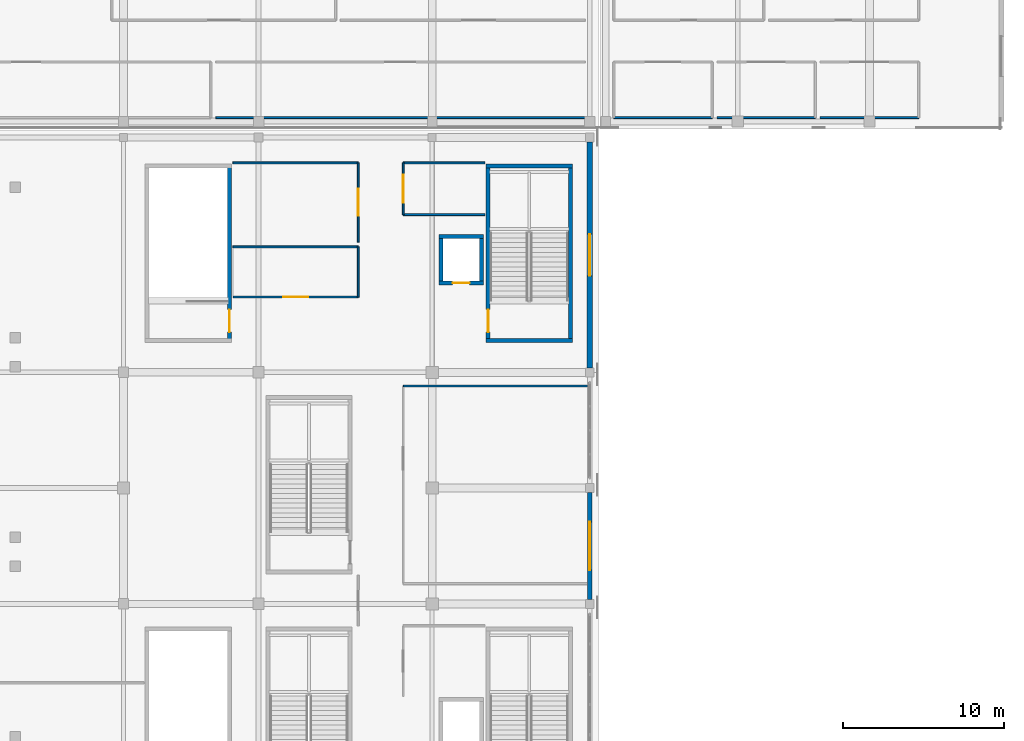
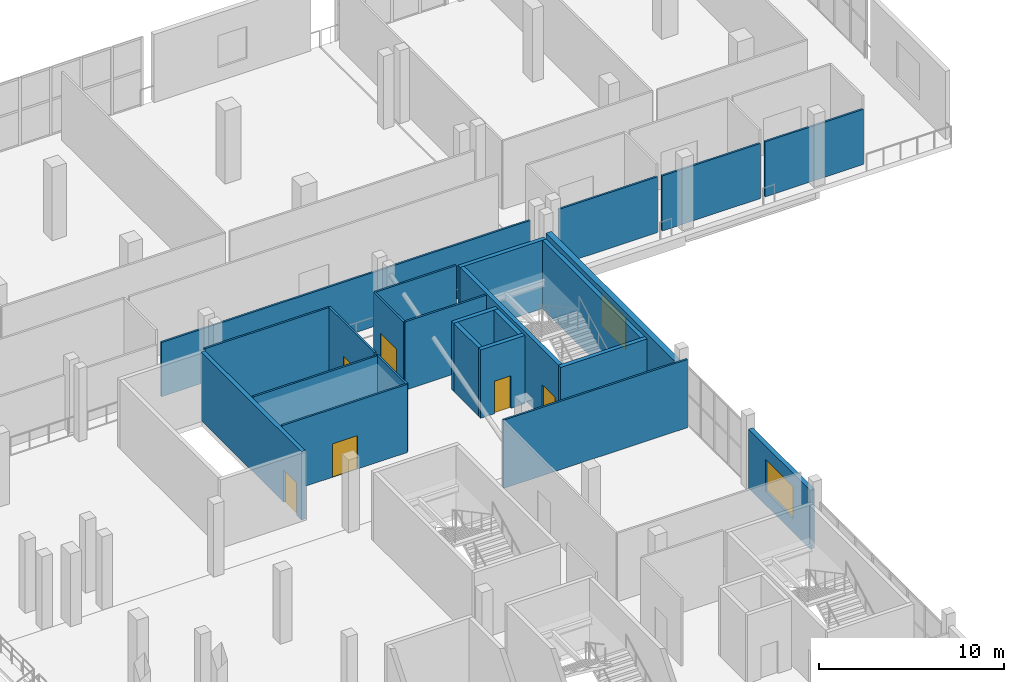
# One storey, part 84 of 129: 24 walls, 6 doors, 2 windows, 8 openings.
"""IFC4 building model written with IfcOpenShell, lengths in metres."""

from ifc_helpers import new_model, si_unit, direction, frame, frame_2d, origin, place, context, subcontext, project, spatial, rectangle, extrude, material, layer, layer_set, type_object, element, fill, save


model = new_model("IFC4")

# Units and contexts
model_context = context("Model", 3, precision=1e-05, world=origin(), true_north=direction((0.0, 1.0)))
body_context = subcontext(model_context, "Body", "Model", "MODEL_VIEW")
ifc_project = project(units=[si_unit("LENGTHUNIT", "METRE"), si_unit("AREAUNIT", "SQUARE_METRE"), si_unit("VOLUMEUNIT", "CUBIC_METRE"), si_unit("PLANEANGLEUNIT", "RADIAN"), si_unit("MASSUNIT", "GRAM", prefix="KILO")], contexts=[model_context])

# Site, building, storey
site_placement = place(None, origin())
site = spatial("IfcSite", under=ifc_project, at=site_placement, CompositionType="ELEMENT")
building_placement = place(site_placement, origin())
building = spatial("IfcBuilding", under=site, at=building_placement, Name="Koshinbarg Plaza Stadium", CompositionType="ELEMENT")
storey_placement = place(building_placement, frame((0.0, 0.0, 5.39990234375)))
storey = spatial("IfcBuildingStorey", under=building, at=storey_placement, Name="L01", CompositionType="ELEMENT", Elevation=5.39990234375)

# Walls
ifc_material_1 = material(Name="Concrete C40/50", Category="concrete")
ifc_layer_1 = layer(ifc_material_1, 0.25)
ifc_layer_set_1 = layer_set([ifc_layer_1], Name="Concrete C40/50")
wall_type_1 = type_object("IfcWallType", Name="WL-CORE-250", PredefinedType="SHEAR", material=ifc_layer_set_1)
for number, where, z_axis, x_axis, name in (
    (1, (211.949951171875, 113.875, 0.0), (0.0, 0.0, 1.0), (1.0, 0.0, 0.0), "L01 core stair shear wall C10-near IWL-L01-0238"),
    (2, (217.320068359375, 124.72509765625, 0.0), (0.0, 0.0, 1.0), (-1.0, 0.0, 0.0), "L01 core stair shear wall C10-far IWL-L01-0239"),
):
    element("IfcWall", number, at=place(storey_placement, frame(where, z_axis=z_axis, x_axis=x_axis)), inside=storey, type_object=wall_type_1, Name=name, PredefinedType="SHEAR", context=body_context, shape_type="SweptSolid", body=[
        extrude(rectangle(XDim=5.3701171875, YDim=0.25, at=frame_2d((2.68505859375, 0.0))), origin(), (0.0, 0.0, 1.0), 4.5),
    ])

# Wall, opening, door
wall_1_placement = place(storey_placement, frame((212.074951171875, 113.875, 0.0), z_axis=(0.0, 0.0, 1.0), x_axis=(0.0, 1.0, 0.0)))
wall_1 = element("IfcWall", 3, at=wall_1_placement, inside=storey, type_object=wall_type_1, Name="L01 core stair shear wall C10-left IWL-L01-0240", PredefinedType="SHEAR", context=body_context, shape_type="SweptSolid", body=[
    extrude(rectangle(XDim=10.85009765625, YDim=0.25, at=frame_2d((5.425048828125, 0.0))), origin(), (0.0, 0.0, 1.0), 4.5),
])
opening_1_placement = place(wall_1_placement, frame((0.52001953125, 0.0, 0.0)))
opening_1 = element("IfcOpeningElement", 4, at=opening_1_placement, cuts=wall_1, Name="Opening D-0122", PredefinedType="OPENING", context=body_context, shape_type="SweptSolid", body=[
    extrude(rectangle(XDim=1.39990234375, YDim=2.14990234375, at=frame_2d((0.699951171875, 1.074951171875))), frame((0.0, 0.135009765625, 0.0), z_axis=(0.0, -1.0, 0.0), x_axis=(1.0, 0.0, 0.0)), (0.0, 0.0, 1.0), 0.27001953125),
])
ifc_material_2 = material(Name="Painted galvanized steel fire door", Category="steel")
door_type_1 = type_object("IfcDoorType", Name="DR-STAIR-1400", OperationType="NOTDEFINED", PredefinedType="DOOR", material=ifc_material_2)
door_1_placement = place(opening_1_placement, frame((1.39990234375, 0.0, 0.0), z_axis=(0.0, 0.0, 1.0), x_axis=(-1.0, 0.0, 0.0)))
door_1 = element("IfcDoor", 5, at=door_1_placement, inside=storey, type_object=door_type_1, Name="L01 exit stair door C10", OperationType="SINGLE_SWING_RIGHT", OverallHeight=2.14990234375, OverallWidth=1.39990234375, PredefinedType="DOOR", context=body_context, shape_type="SweptSolid", body=[
    extrude(rectangle(XDim=1.39990234375, YDim=2.14990234375, at=frame_2d((0.699951171875, 1.074951171875))), frame((0.0, 0.02490234375, 0.0), z_axis=(0.0, -1.0, 0.0), x_axis=(1.0, 0.0, 0.0)), (0.0, 0.0, 1.0), 0.050048828125),
])
fill(opening_1, door_1)

# Wall
wall_2_placement = place(storey_placement, frame((217.195068359375, 113.875, 0.0), z_axis=(0.0, 0.0, 1.0), x_axis=(0.0, 1.0, 0.0)))
element("IfcWall", 6, at=wall_2_placement, inside=storey, type_object=wall_type_1, Name="L01 core stair shear wall C10-right IWL-L01-0241", PredefinedType="SHEAR", context=body_context, shape_type="SweptSolid", body=[
    extrude(rectangle(XDim=10.85009765625, YDim=0.25, at=frame_2d((5.425048828125, 0.0))), origin(), (0.0, 0.0, 1.0), 4.5),
])

# Wall, opening, door
wall_3_placement = place(storey_placement, frame((195.9951171875, 113.875, 0.0), z_axis=(0.0, 0.0, 1.0), x_axis=(0.0, 1.0, 0.0)))
wall_3 = element("IfcWall", 7, at=wall_3_placement, inside=storey, type_object=wall_type_1, Name="L01 vomitory stair shear wall VL08-right IWL-L01-0609", PredefinedType="SHEAR", context=body_context, shape_type="SweptSolid", body=[
    extrude(rectangle(XDim=10.85009765625, YDim=0.25, at=frame_2d((5.425048828125, 0.0))), origin(), (0.0, 0.0, 1.0), 4.5),
])
opening_2_placement = place(wall_3_placement, frame((0.52001953125, 0.0, 0.0)))
opening_2 = element("IfcOpeningElement", 8, at=opening_2_placement, cuts=wall_3, Name="Opening D-0214", PredefinedType="OPENING", context=body_context, shape_type="SweptSolid", body=[
    extrude(rectangle(XDim=1.39990234375, YDim=2.14990234375, at=frame_2d((0.699951171875, 1.074951171875))), frame((0.0, 0.135009765625, 0.0), z_axis=(0.0, -1.0, 0.0), x_axis=(1.0, 0.0, 0.0)), (0.0, 0.0, 1.0), 0.27001953125),
])
door_2_placement = place(opening_2_placement, origin())
door_2 = element("IfcDoor", 9, at=door_2_placement, inside=storey, type_object=door_type_1, Name="L01 vomitory exit stair door VL08", OperationType="SINGLE_SWING_RIGHT", OverallHeight=2.14990234375, OverallWidth=1.39990234375, PredefinedType="DOOR", context=body_context, shape_type="SweptSolid", body=[
    extrude(rectangle(XDim=1.39990234375, YDim=2.14990234375, at=frame_2d((0.699951171875, 1.074951171875))), frame((0.0, 0.02490234375, 0.0), z_axis=(0.0, -1.0, 0.0), x_axis=(1.0, 0.0, 0.0)), (0.0, 0.0, 1.0), 0.050048828125),
])
fill(opening_2, door_2)

wall_4_placement = place(storey_placement, frame((209.02490234375, 117.449951171875, 0.0), z_axis=(0.0, 0.0, 1.0), x_axis=(1.0, 0.0, 0.0)))
wall_4 = element("IfcWall", 10, at=wall_4_placement, inside=storey, type_object=wall_type_1, Name="L01 lift shaft shear wall LP06-S IWL-L01-0938", PredefinedType="SHEAR", context=body_context, shape_type="SweptSolid", body=[
    extrude(rectangle(XDim=2.75, YDim=0.25, at=frame_2d((1.375, 0.0))), origin(), (0.0, 0.0, 1.0), 4.5),
])
opening_3_placement = place(wall_4_placement, frame((0.85009765625, 0.0, 0.0)))
opening_3 = element("IfcOpeningElement", 11, at=opening_3_placement, cuts=wall_4, Name="Opening D-0304", PredefinedType="OPENING", context=body_context, shape_type="SweptSolid", body=[
    extrude(rectangle(XDim=1.050048828125, YDim=2.14990234375, at=frame_2d((0.52490234375, 1.074951171875))), frame((0.0, 0.135009765625, 0.0), z_axis=(0.0, -1.0, 0.0), x_axis=(1.0, 0.0, 0.0)), (0.0, 0.0, 1.0), 0.27001953125),
])
ifc_material_3 = material(Name="Brushed stainless steel sliding lift landing door", Category="steel")
door_type_2 = type_object("IfcDoorType", Name="DR-LIFT-1050", OperationType="NOTDEFINED", PredefinedType="DOOR", material=ifc_material_3)
door_3_placement = place(opening_3_placement, origin())
door_3 = element("IfcDoor", 12, at=door_3_placement, inside=storey, type_object=door_type_2, Name="L01 lift landing door LP06", OperationType="SLIDING_TO_LEFT", OverallHeight=2.14990234375, OverallWidth=1.050048828125, PredefinedType="DOOR", context=body_context, shape_type="SweptSolid", body=[
    extrude(rectangle(XDim=1.050048828125, YDim=2.14990234375, at=frame_2d((0.52490234375, 1.074951171875))), frame((0.0, 0.02490234375, 0.0), z_axis=(0.0, -1.0, 0.0), x_axis=(1.0, 0.0, 0.0)), (0.0, 0.0, 1.0), 0.050048828125),
])
fill(opening_3, door_3)

# Walls
wall_5_placement = place(storey_placement, frame((211.77490234375, 120.35009765625, 0.0), z_axis=(0.0, 0.0, 1.0), x_axis=(-1.0, 0.0, 0.0)))
element("IfcWall", 13, at=wall_5_placement, inside=storey, type_object=wall_type_1, Name="L01 lift shaft shear wall LP06-N IWL-L01-0939", PredefinedType="SHEAR", context=body_context, shape_type="SweptSolid", body=[
    extrude(rectangle(XDim=2.75, YDim=0.25, at=frame_2d((1.375, 0.0))), origin(), (0.0, 0.0, 1.0), 4.5),
])
for number, where, z_axis, x_axis, name in (
    (14, (209.14990234375, 120.35009765625, 0.0), (0.0, 0.0, 1.0), (0.0, -1.0, 0.0), "L01 lift shaft shear wall LP06-W IWL-L01-0940"),
    (15, (211.64990234375, 117.449951171875, 0.0), (0.0, 0.0, 1.0), (0.0, 1.0, 0.0), "L01 lift shaft shear wall LP06-E IWL-L01-0941"),
):
    element("IfcWall", number, at=place(storey_placement, frame(where, z_axis=z_axis, x_axis=x_axis)), inside=storey, type_object=wall_type_1, Name=name, PredefinedType="SHEAR", context=body_context, shape_type="SweptSolid", body=[
        extrude(rectangle(XDim=2.900146484375, YDim=0.25, at=frame_2d((1.4501953125, 0.0))), origin(), (0.0, 0.0, 1.0), 4.5),
    ])

# Wall, opening, window
ifc_material_4 = material(Name="Terracotta-ochre mineral plaster insulated wall", Category="masonry")
ifc_layer_2 = layer(ifc_material_4, 0.280029296875)
ifc_layer_set_2 = layer_set([ifc_layer_2], Name="Terracotta-ochre mineral plaster insulated wall")
wall_type_2 = type_object("IfcWallType", Name="WL-EXT-280", PredefinedType="SOLIDWALL", material=ifc_layer_set_2)
wall_6_placement = place(storey_placement, frame((218.39990234375, 104.429931640625, 0.0), z_axis=(0.0, 0.0, 1.0), x_axis=(0.0, -1.0, 0.0)))
wall_6 = element("IfcWall", 16, at=wall_6_placement, inside=storey, type_object=wall_type_2, Name="L01 exterior envelope wall EWL-L01-0092", PredefinedType="SOLIDWALL", context=body_context, shape_type="SweptSolid", body=[
    extrude(rectangle(XDim=6.659912109375, YDim=0.280029296875, at=frame_2d((3.330078125, 0.0))), origin(), (0.0, 0.0, 1.0), 3.880126953125),
])
opening_4_placement = place(wall_6_placement, frame((1.830078125, 0.0, 0.89990234375)))
opening_4 = element("IfcOpeningElement", 17, at=opening_4_placement, cuts=wall_6, Name="Opening WN17", PredefinedType="OPENING", context=body_context, shape_type="SweptSolid", body=[
    extrude(rectangle(XDim=3.0, YDim=2.10009765625, at=frame_2d((1.5, 1.050048828125))), frame((0.0, 0.14990234375, 0.0), z_axis=(0.0, -1.0, 0.0), x_axis=(1.0, 0.0, 0.0)), (0.0, 0.0, 1.0), 0.300048828125),
])
ifc_material_5 = material(Name="Solar-control double glazing in thermally broken aluminium frame", Category="aluminium")
window_type_1 = type_object("IfcWindowType", Name="WN-FAC-17", PartitioningType="DOUBLE_PANEL_VERTICAL", PredefinedType="WINDOW", material=ifc_material_5)
window_1_placement = place(opening_4_placement, origin())
window_1 = element("IfcWindow", 18, at=window_1_placement, inside=storey, type_object=window_type_1, Name="L01 facade window 0033", OverallHeight=2.10009765625, OverallWidth=3.0, PartitioningType="SINGLE_PANEL", PredefinedType="WINDOW", context=body_context, shape_type="SweptSolid", body=[
    extrude(rectangle(XDim=3.0, YDim=2.10009765625, at=frame_2d((1.5, 1.050048828125))), frame((0.0, 0.030029296875, 0.0), z_axis=(0.0, -1.0, 0.0), x_axis=(1.0, 0.0, 0.0)), (0.0, 0.0, 1.0), 0.06005859375),
])
fill(opening_4, window_1)

ifc_material_6 = material(Name="Acoustic insulated masonry stadium wall", Category="masonry")
ifc_layer_3 = layer(ifc_material_6, 0.35009765625)
ifc_layer_set_3 = layer_set([ifc_layer_3], Name="Acoustic insulated masonry stadium wall")
wall_type_3 = type_object("IfcWallType", Name="WL-EXT-350", PredefinedType="SOLIDWALL", material=ifc_layer_set_3)
wall_7_placement = place(storey_placement, frame((218.39990234375, 126.22998046875, 0.0), z_axis=(0.0, 0.0, 1.0), x_axis=(0.0, -1.0, 0.0)))
wall_7 = element("IfcWall", 19, at=wall_7_placement, inside=storey, type_object=wall_type_3, Name="L01 exterior envelope wall EWL-L01-0091", PredefinedType="SOLIDWALL", context=body_context, shape_type="SweptSolid", body=[
    extrude(rectangle(XDim=14.06005859375, YDim=0.35009765625, at=frame_2d((7.030029296875, 0.0))), origin(), (0.0, 0.0, 1.0), 3.580078125),
])
opening_5_placement = place(wall_7_placement, frame((5.72998046875, 0.0, 0.89990234375)))
opening_5 = element("IfcOpeningElement", 20, at=opening_5_placement, cuts=wall_7, Name="Opening WN16", PredefinedType="OPENING", context=body_context, shape_type="SweptSolid", body=[
    extrude(rectangle(XDim=2.60009765625, YDim=2.10009765625, at=frame_2d((1.300048828125, 1.050048828125))), frame((0.0, 0.18505859375, 0.0), z_axis=(0.0, -1.0, 0.0), x_axis=(1.0, 0.0, 0.0)), (0.0, 0.0, 1.0), 0.3701171875),
])
window_type_2 = type_object("IfcWindowType", Name="WN-FAC-16", PartitioningType="DOUBLE_PANEL_VERTICAL", PredefinedType="WINDOW", material=ifc_material_5)
window_2_placement = place(opening_5_placement, origin())
window_2 = element("IfcWindow", 21, at=window_2_placement, inside=storey, type_object=window_type_2, Name="L01 facade window 0032", OverallHeight=2.10009765625, OverallWidth=2.60009765625, PartitioningType="SINGLE_PANEL", PredefinedType="WINDOW", context=body_context, shape_type="SweptSolid", body=[
    extrude(rectangle(XDim=2.60009765625, YDim=2.10009765625, at=frame_2d((1.300048828125, 1.050048828125))), frame((0.0, 0.030029296875, 0.0), z_axis=(0.0, -1.0, 0.0), x_axis=(1.0, 0.0, 0.0)), (0.0, 0.0, 1.0), 0.06005859375),
])
fill(opening_5, window_2)

# Wall
ifc_material_7 = material(Name="Gypsum board metal-stud acoustic partition")
ifc_layer_4 = layer(ifc_material_7, 0.1201171875)
ifc_layer_set_4 = layer_set([ifc_layer_4], Name="Gypsum board metal-stud acoustic partition")
wall_type_4 = type_object("IfcWallType", Name="WL-PART-120", PredefinedType="PARTITIONING", material=ifc_layer_set_4)
wall_8_placement = place(storey_placement, frame((218.2548828125, 111.050048828125, 0.0), z_axis=(0.0, 0.0, 1.0), x_axis=(-1.0, 0.0, 0.0)))
element("IfcWall", 22, at=wall_8_placement, inside=storey, type_object=wall_type_4, Name="L01 interior partition L01-111-north IWL-L01-1433", PredefinedType="PARTITIONING", context=body_context, shape_type="SweptSolid", body=[
    extrude(rectangle(XDim=11.454833984375, YDim=0.1201171875, at=frame_2d((5.7275390625, 0.0))), origin(), (0.0, 0.0, 1.0), 4.5),
])

# Wall, opening, door
wall_9_placement = place(storey_placement, frame((196.199951171875, 116.580078125, 0.0), z_axis=(0.0, 0.0, 1.0), x_axis=(1.0, 0.0, 0.0)))
wall_9 = element("IfcWall", 23, at=wall_9_placement, inside=storey, type_object=wall_type_4, Name="L01 interior partition L01-112-south IWL-L01-1435", PredefinedType="PARTITIONING", context=body_context, shape_type="SweptSolid", body=[
    extrude(rectangle(XDim=7.800048828125, YDim=0.1201171875, at=frame_2d((3.89990234375, 0.0))), origin(), (0.0, 0.0, 1.0), 4.5),
])
opening_6_placement = place(wall_9_placement, frame((3.125, 0.0, 0.0)))
opening_6 = element("IfcOpeningElement", 24, at=opening_6_placement, cuts=wall_9, Name="Opening D-0478", PredefinedType="OPENING", context=body_context, shape_type="SweptSolid", body=[
    extrude(rectangle(XDim=1.550048828125, YDim=2.199951171875, at=frame_2d((0.77490234375, 1.10009765625))), frame((0.0, 0.070068359375, 0.0), z_axis=(0.0, -1.0, 0.0), x_axis=(1.0, 0.0, 0.0)), (0.0, 0.0, 1.0), 0.14013671875),
])
ifc_material_8 = material(Name="Toughened laminated glass in aluminium frame", Category="aluminium")
door_type_3 = type_object("IfcDoorType", Name="DR-INT-1550x2200", OperationType="NOTDEFINED", PredefinedType="DOOR", material=ifc_material_8)
door_4_placement = place(opening_6_placement, origin())
door_4 = element("IfcDoor", 25, at=door_4_placement, inside=storey, type_object=door_type_3, Name="L01 Family Supporters' Lounge door D-0478", OperationType="DOUBLE_DOOR_SINGLE_SWING", OverallHeight=2.199951171875, OverallWidth=1.550048828125, PredefinedType="DOOR", context=body_context, shape_type="SweptSolid", body=[
    extrude(rectangle(XDim=1.550048828125, YDim=2.199951171875, at=frame_2d((0.77490234375, 1.10009765625))), frame((0.0, 0.02490234375, 0.0), z_axis=(0.0, -1.0, 0.0), x_axis=(1.0, 0.0, 0.0)), (0.0, 0.0, 1.0), 0.050048828125),
])
fill(opening_6, door_4)

# Walls
wall_10_placement = place(storey_placement, frame((204.0, 116.580078125, 0.0), z_axis=(0.0, 0.0, 1.0), x_axis=(0.0, 1.0, 0.0)))
element("IfcWall", 26, at=wall_10_placement, inside=storey, type_object=wall_type_4, Name="L01 interior partition L01-112-east IWL-L01-1436", PredefinedType="PARTITIONING", context=body_context, shape_type="SweptSolid", body=[
    extrude(rectangle(XDim=3.119140625, YDim=0.1201171875, at=frame_2d((1.5595703125, 0.0))), origin(), (0.0, 0.0, 1.0), 4.5),
])
wall_11_placement = place(storey_placement, frame((204.0, 119.69921875, 0.0), z_axis=(0.0, 0.0, 1.0), x_axis=(-1.0, 0.0, 0.0)))
element("IfcWall", 27, at=wall_11_placement, inside=storey, type_object=wall_type_4, Name="L01 interior partition L01-112-north IWL-L01-1437", PredefinedType="PARTITIONING", context=body_context, shape_type="SweptSolid", body=[
    extrude(rectangle(XDim=7.800048828125, YDim=0.1201171875, at=frame_2d((3.89990234375, 0.0))), origin(), (0.0, 0.0, 1.0), 4.5),
])

# Wall, opening, door
wall_12_placement = place(storey_placement, frame((204.0, 119.999267578125, 0.0), z_axis=(0.0, 0.0, 1.0), x_axis=(0.0, 1.0, 0.0)))
wall_12 = element("IfcWall", 28, at=wall_12_placement, inside=storey, type_object=wall_type_4, Name="L01 interior partition L01-113-east IWL-L01-1438", PredefinedType="PARTITIONING", context=body_context, shape_type="SweptSolid", body=[
    extrude(rectangle(XDim=4.9306640625, YDim=0.1201171875, at=frame_2d((2.46533203125, 0.0))), origin(), (0.0, 0.0, 1.0), 4.5),
])
opening_7_placement = place(wall_12_placement, frame((1.62548828125, 0.0, 0.0)))
opening_7 = element("IfcOpeningElement", 29, at=opening_7_placement, cuts=wall_12, Name="Opening D-0479", PredefinedType="OPENING", context=body_context, shape_type="SweptSolid", body=[
    extrude(rectangle(XDim=1.679931640625, YDim=2.25, at=frame_2d((0.83984375, 1.125))), frame((0.0, 0.070068359375, 0.0), z_axis=(0.0, -1.0, 0.0), x_axis=(1.0, 0.0, 0.0)), (0.0, 0.0, 1.0), 0.14013671875),
])
ifc_material_9 = material(Name="Powder-coated aluminium double glazed door", Category="aluminium")
door_type_4 = type_object("IfcDoorType", Name="DR-INT-1680x2250", OperationType="NOTDEFINED", PredefinedType="DOOR", material=ifc_material_9)
door_5_placement = place(opening_7_placement, origin())
door_5 = element("IfcDoor", 30, at=door_5_placement, inside=storey, type_object=door_type_4, Name="L01 Concession Kitchen door D-0479", OperationType="DOUBLE_DOOR_SINGLE_SWING", OverallHeight=2.25, OverallWidth=1.679931640625, PredefinedType="DOOR", context=body_context, shape_type="SweptSolid", body=[
    extrude(rectangle(XDim=1.679931640625, YDim=2.25, at=frame_2d((0.83984375, 1.125))), frame((0.0, 0.02490234375, 0.0), z_axis=(0.0, -1.0, 0.0), x_axis=(1.0, 0.0, 0.0)), (0.0, 0.0, 1.0), 0.050048828125),
])
fill(opening_7, door_5)

# Walls
wall_13_placement = place(storey_placement, frame((204.0, 124.929931640625, 0.0), z_axis=(0.0, 0.0, 1.0), x_axis=(-1.0, 0.0, 0.0)))
element("IfcWall", 31, at=wall_13_placement, inside=storey, type_object=wall_type_4, Name="L01 interior partition L01-113-north IWL-L01-1439", PredefinedType="PARTITIONING", context=body_context, shape_type="SweptSolid", body=[
    extrude(rectangle(XDim=7.800048828125, YDim=0.1201171875, at=frame_2d((3.89990234375, 0.0))), origin(), (0.0, 0.0, 1.0), 4.5),
])
for number, where, z_axis, x_axis, name in (
    (32, (206.800048828125, 121.70751953125, 0.0), (0.0, 0.0, 1.0), (1.0, 0.0, 0.0), "L01 interior partition L01-114-south IWL-L01-1440"),
    (33, (211.8701171875, 124.929931640625, 0.0), (0.0, 0.0, 1.0), (-1.0, 0.0, 0.0), "L01 interior partition L01-114-north IWL-L01-1441"),
):
    element("IfcWall", number, at=place(storey_placement, frame(where, z_axis=z_axis, x_axis=x_axis)), inside=storey, type_object=wall_type_4, Name=name, PredefinedType="PARTITIONING", context=body_context, shape_type="SweptSolid", body=[
        extrude(rectangle(XDim=5.070068359375, YDim=0.1201171875, at=frame_2d((2.53515625, 0.0))), origin(), (0.0, 0.0, 1.0), 4.5),
    ])

# Wall, opening, door
wall_14_placement = place(storey_placement, frame((206.800048828125, 124.929931640625, 0.0), z_axis=(0.0, 0.0, 1.0), x_axis=(0.0, -1.0, 0.0)))
wall_14 = element("IfcWall", 34, at=wall_14_placement, inside=storey, type_object=wall_type_4, Name="L01 interior partition L01-114-west IWL-L01-1442", PredefinedType="PARTITIONING", context=body_context, shape_type="SweptSolid", body=[
    extrude(rectangle(XDim=3.222412109375, YDim=0.1201171875, at=frame_2d((1.611328125, 0.0))), origin(), (0.0, 0.0, 1.0), 4.5),
])
opening_8_placement = place(wall_14_placement, frame((0.731201171875, 0.0, 0.0)))
opening_8 = element("IfcOpeningElement", 35, at=opening_8_placement, cuts=wall_14, Name="Opening D-0480", PredefinedType="OPENING", context=body_context, shape_type="SweptSolid", body=[
    extrude(rectangle(XDim=1.760009765625, YDim=2.25, at=frame_2d((0.8798828125, 1.125))), frame((0.0, 0.070068359375, 0.0), z_axis=(0.0, -1.0, 0.0), x_axis=(1.0, 0.0, 0.0)), (0.0, 0.0, 1.0), 0.14013671875),
])
ifc_material_10 = material(Name="Solid-core oak veneer double swing door")
door_type_5 = type_object("IfcDoorType", Name="DR-INT-1760x2250", OperationType="NOTDEFINED", PredefinedType="DOOR", material=ifc_material_10)
door_6_placement = place(opening_8_placement, origin())
door_6 = element("IfcDoor", 36, at=door_6_placement, inside=storey, type_object=door_type_5, Name="L01 East Concourse Dining Hall door D-0480", OperationType="DOUBLE_DOOR_SINGLE_SWING", OverallHeight=2.25, OverallWidth=1.760009765625, PredefinedType="DOOR", context=body_context, shape_type="SweptSolid", body=[
    extrude(rectangle(XDim=1.760009765625, YDim=2.25, at=frame_2d((0.8798828125, 1.125))), frame((0.0, 0.02490234375, 0.0), z_axis=(0.0, -1.0, 0.0), x_axis=(1.0, 0.0, 0.0)), (0.0, 0.0, 1.0), 0.050048828125),
])
fill(opening_8, door_6)

# Walls
wall_15_placement = place(storey_placement, frame((195.137451171875, 127.7451171875, 0.0), z_axis=(0.0, 0.0, 1.0), x_axis=(1.0, 0.0, 0.0)))
element("IfcWall", 37, at=wall_15_placement, inside=storey, type_object=wall_type_4, Name="L01 interior partition L01-132-south IWL-L01-1495", PredefinedType="PARTITIONING", context=body_context, shape_type="SweptSolid", body=[
    extrude(rectangle(XDim=22.967529296875, YDim=0.1201171875, at=frame_2d((11.48388671875, 0.0))), origin(), (0.0, 0.0, 1.0), 3.580078125),
])
wall_16_placement = place(storey_placement, frame((219.89501953125, 127.7451171875, 0.0), z_axis=(0.0, 0.0, 1.0), x_axis=(1.0, 0.0, 0.0)))
element("IfcWall", 38, at=wall_16_placement, inside=storey, type_object=wall_type_4, Name="L01 interior partition L01-135-south IWL-L01-1501", PredefinedType="PARTITIONING", context=body_context, shape_type="SweptSolid", body=[
    extrude(rectangle(XDim=6.1181640625, YDim=0.1201171875, at=frame_2d((3.05908203125, 0.0))), origin(), (0.0, 0.0, 1.0), 3.68017578125),
])
for number, where, z_axis, x_axis, name in (
    (39, (226.313232421875, 127.7451171875, 0.0), (0.0, 0.0, 1.0), (1.0, 0.0, 0.0), "L01 interior partition L01-136-south IWL-L01-1505"),
    (40, (232.731689453125, 127.7451171875, 0.0), (0.0, 0.0, 1.0), (1.0, 0.0, 0.0), "L01 interior partition L01-137-south IWL-L01-1508"),
):
    element("IfcWall", number, at=place(storey_placement, frame(where, z_axis=z_axis, x_axis=x_axis)), inside=storey, type_object=wall_type_4, Name=name, PredefinedType="PARTITIONING", context=body_context, shape_type="SweptSolid", body=[
        extrude(rectangle(XDim=6.118408203125, YDim=0.1201171875, at=frame_2d((3.05908203125, 0.0))), origin(), (0.0, 0.0, 1.0), 3.630126953125),
    ])

save(model, "model.ifc")
